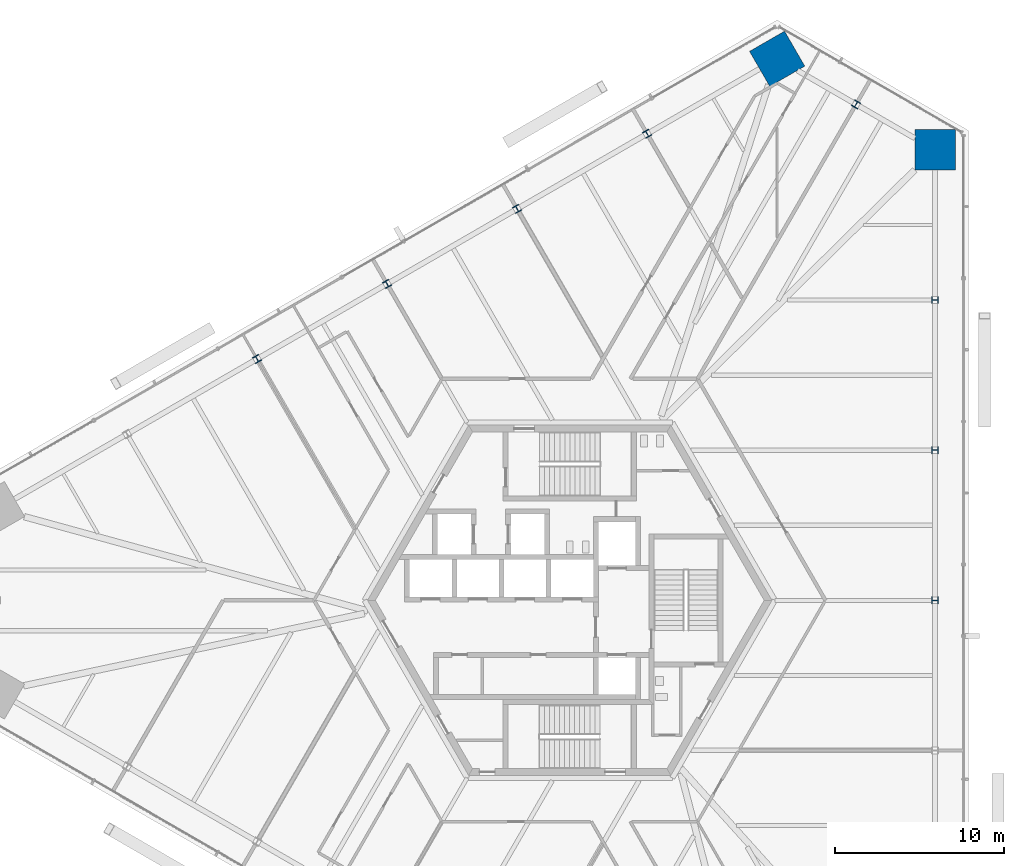
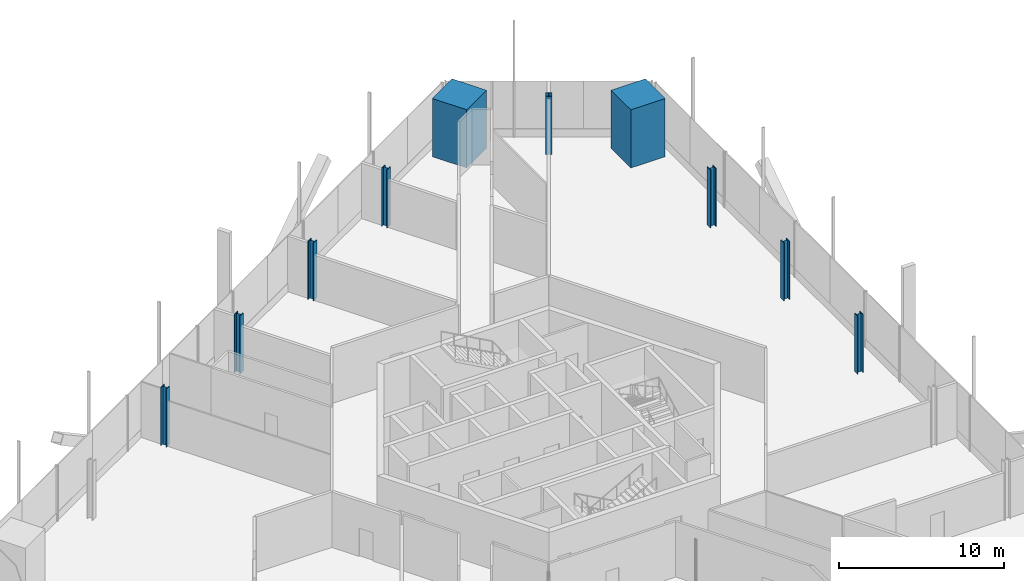
# One storey, part 2 of 19: 10 columns.
"""IFC4 building model written with IfcOpenShell, lengths in metres."""

import ifcopenshell
import ifcopenshell.guid

model = None  # the IFC model being written
_history = None  # IfcOwnerHistory: only IFC2X3 demands one
_inside = {}  # id of a spatial element -> (the spatial element, [elements in it])
_under = {}  # id of a project, library or spatial element -> (it, [spatial elements below it])
_declared = {}  # id of a project -> (the project, [libraries it declares])
_typed = {}  # id of a type object -> (the type object, [elements of that type])
_made_of = {}  # id of a material, layer set ... -> (it, [elements and type objects made of it])


def new_model(schema):
    """Start an empty IFC model of exactly this schema.

    Asked for "IFC4X3", IfcOpenShell would pick the latest addendum, in which some entities
    have other attributes; the version numbers below select the first issue.
    IFC2X3 requires an IfcOwnerHistory on every rooted entity: one is made here for all.
    """
    global model, _history
    if schema == "IFC4X3":
        model = ifcopenshell.file(schema_version=(4, 3, 0, 0))
    else:
        model = ifcopenshell.file(schema=schema)
    _inside.clear()
    _under.clear()
    _declared.clear()
    _typed.clear()
    _made_of.clear()
    _history = None
    if model.schema == "IFC2X3":
        org = make("IfcOrganization", Name="unknown")
        user = make(
            "IfcPersonAndOrganization",
            ThePerson=make("IfcPerson", FamilyName="unknown"),
            TheOrganization=org,
        )
        app = make(
            "IfcApplication",
            ApplicationDeveloper=org,
            Version="unknown",
            ApplicationFullName="unknown",
            ApplicationIdentifier="unknown",
        )
        _history = make(
            "IfcOwnerHistory",
            OwningUser=user,
            OwningApplication=app,
            ChangeAction="ADDED",
            CreationDate=0,
        )
    return model


def make(cls, **values):
    """One entity of the class cls with the attributes given. An attribute that is None is left unset."""
    return model.create_entity(
        cls, **{name: value for name, value in values.items() if value is not None}
    )


def rooted(cls, **values):
    """An entity with a GlobalId (a new one), such as an element, a storey or a relation."""
    return make(cls, GlobalId=ifcopenshell.guid.new(), OwnerHistory=_history, **values)


def si_unit(unit_type, name, prefix=None):
    """IfcSIUnit, for example si_unit("LENGTHUNIT", "METRE", prefix="MILLI")."""
    return make("IfcSIUnit", UnitType=unit_type, Prefix=prefix, Name=name)


def assignment(units):
    """IfcUnitAssignment: the units of a project."""
    return None if units is None else make("IfcUnitAssignment", Units=units)


def point(xyz):
    """IfcCartesianPoint."""
    return None if xyz is None else make("IfcCartesianPoint", Coordinates=xyz)


def direction(xyz):
    """IfcDirection."""
    return None if xyz is None else make("IfcDirection", DirectionRatios=xyz)


def frame(location, z_axis=None, x_axis=None):
    """IfcAxis2Placement3D, a coordinate frame: its origin and axes. An axis left out is left unset."""
    return make(
        "IfcAxis2Placement3D",
        Location=point(location),
        Axis=direction(z_axis),
        RefDirection=direction(x_axis),
    )


def frame_2d(location, x_axis=None):
    """IfcAxis2Placement2D, a coordinate frame in the plane: its origin and x axis."""
    return make(
        "IfcAxis2Placement2D", Location=point(location), RefDirection=direction(x_axis)
    )


def origin():
    """The frame at (0, 0, 0) with its axes left unset."""
    return frame((0.0, 0.0, 0.0))


def origin_2d():
    """The frame at (0, 0) in the plane with its x axis left unset."""
    return frame_2d((0.0, 0.0))


def place(relative_to, where):
    """IfcLocalPlacement: puts the frame where relative to a parent placement (None: the world)."""
    return make(
        "IfcLocalPlacement", PlacementRelTo=relative_to, RelativePlacement=where
    )


def context(
    kind, dimensions, precision=None, world=None, true_north=None, identifier=None
):
    """IfcGeometricRepresentationContext, for example the 3D "Model" context."""
    return make(
        "IfcGeometricRepresentationContext",
        ContextIdentifier=identifier,
        ContextType=kind,
        CoordinateSpaceDimension=dimensions,
        Precision=precision,
        WorldCoordinateSystem=world,
        TrueNorth=true_north,
    )


def subcontext(parent, identifier, kind, view, scale=None):
    """IfcGeometricRepresentationSubContext, for example "Body" below "Model"."""
    return make(
        "IfcGeometricRepresentationSubContext",
        ContextIdentifier=identifier,
        ContextType=kind,
        ParentContext=parent,
        TargetScale=scale,
        TargetView=view,
    )


def project(units=None, contexts=None):
    """IfcProject with its units and contexts."""
    return rooted(
        "IfcProject",
        Name="project",
        RepresentationContexts=contexts,
        UnitsInContext=assignment(units),
    )


def spatial(cls, under=None, at=None, **own):
    """A site, building, storey or space (cls), placed at a placement, below another one or the project."""
    s = rooted(cls, ObjectPlacement=at, **own)
    if under is not None:
        _under.setdefault(under.id(), (under, []))[1].append(s)
    return s


def profile(cls, at=None, kind="AREA", **sizes):
    """A parametric profile (cls). Its sizes go by their IFC names, for example OverallWidth=200.0."""
    return make(cls, ProfileType=kind, Position=at, **sizes)


def rectangle(**sizes):
    """IfcRectangleProfileDef."""
    return profile("IfcRectangleProfileDef", **sizes)


def i_section(**sizes):
    """IfcIShapeProfileDef."""
    return profile("IfcIShapeProfileDef", **sizes)


def extrude(swept, where, along, depth):
    """IfcExtrudedAreaSolid: the profile swept, set in the frame where, extruded along a direction by depth."""
    return make(
        "IfcExtrudedAreaSolid",
        SweptArea=swept,
        Position=where,
        ExtrudedDirection=direction(along),
        Depth=depth,
    )


def shape(context_of_items, identifier, shape_type, items):
    """IfcShapeRepresentation: the items that make up one representation, for example the "Body"."""
    return make(
        "IfcShapeRepresentation",
        ContextOfItems=context_of_items,
        RepresentationIdentifier=identifier,
        RepresentationType=shape_type,
        Items=items,
    )


def source(mapping_origin, context_of_items, identifier, shape_type, items):
    """IfcRepresentationMap: a shape defined once, which mapped items show again and again."""
    return make(
        "IfcRepresentationMap",
        MappingOrigin=mapping_origin,
        MappedRepresentation=shape(context_of_items, identifier, shape_type, items),
    )


def transform(
    local_origin,
    x_axis=None,
    y_axis=None,
    z_axis=None,
    scale=None,
    scale2=None,
    scale3=None,
    uniform=True,
):
    """IfcCartesianTransformationOperator3D, or its non-uniform kind. x_axis, y_axis, z_axis: its Axis1, 2, 3."""
    if uniform:
        return make(
            "IfcCartesianTransformationOperator3D",
            Axis1=direction(x_axis),
            Axis2=direction(y_axis),
            LocalOrigin=point(local_origin),
            Scale=scale,
            Axis3=direction(z_axis),
        )
    return make(
        "IfcCartesianTransformationOperator3DnonUniform",
        Axis1=direction(x_axis),
        Axis2=direction(y_axis),
        LocalOrigin=point(local_origin),
        Scale=scale,
        Axis3=direction(z_axis),
        Scale2=scale2,
        Scale3=scale3,
    )


def mapped(mapping_source, mapping_target):
    """IfcMappedItem: shows the shape of a source again, moved by a transform."""
    return make(
        "IfcMappedItem", MappingSource=mapping_source, MappingTarget=mapping_target
    )


def material(Name=None, Category=None):
    """IfcMaterial."""
    return make("IfcMaterial", Name=Name, Category=Category)


def material_profile(
    of_material, cross_section, Name=None, Category=None, Priority=None
):
    """IfcMaterialProfile: a cross section and its material."""
    return make(
        "IfcMaterialProfile",
        Name=Name,
        Material=of_material,
        Profile=cross_section,
        Priority=Priority,
        Category=Category,
    )


def profile_set(profiles, Name=None, composite=None):
    """IfcMaterialProfileSet."""
    return make(
        "IfcMaterialProfileSet",
        Name=Name,
        MaterialProfiles=profiles,
        CompositeProfile=composite,
    )


def made_of(thing, what):
    """Note that an element or type object is made of a material, layer set ...; save() writes the relation."""
    if what is not None:
        _made_of.setdefault(what.id(), (what, []))[1].append(thing)
    return thing


def type_object(cls, material=None, **own):
    """A type object (cls), such as IfcWallType, which elements share."""
    return made_of(rooted(cls, **own), material)


def element(
    cls,
    number,
    at=None,
    inside=None,
    cuts=None,
    type_object=None,
    material=None,
    context=None,
    identifier="Body",
    shape_type=None,
    held_by="IfcProductDefinitionShape",
    body=None,
    shapes=None,
    **own,
):
    """One element of the class cls, such as IfcWall. Its Tag is "e" and its number.

    at: its placement. inside: the storey or other place that contains it. cuts: it is an
    opening in that element (IfcRelVoidsElement). A single representation is given by context,
    identifier, shape_type and body (its items); several are given by shapes. held_by: the class
    of the entity that holds the representations. save() writes the other relations.
    """
    e = rooted(cls, Tag="e%d" % number, ObjectPlacement=at, **own)
    if body is not None:
        shapes = [shape(context, identifier, shape_type, body)]
    if shapes is not None:
        e.Representation = make(held_by, Representations=shapes)
    if inside is not None:
        _inside.setdefault(inside.id(), (inside, []))[1].append(e)
    if cuts is not None:
        rooted(
            "IfcRelVoidsElement", RelatingBuildingElement=cuts, RelatedOpeningElement=e
        )
    if type_object is not None:
        _typed.setdefault(type_object.id(), (type_object, []))[1].append(e)
    return made_of(e, material)


def aggregate(whole, parts):
    """IfcRelAggregates: a whole, such as a stair, and the parts it consists of."""
    return rooted("IfcRelAggregates", RelatingObject=whole, RelatedObjects=parts)


def save(model, path):
    """Write the relations noted so far, then the file.

    IfcRelAggregates (storeys below a building ...), IfcRelContainedInSpatialStructure (elements
    in a storey), IfcRelDefinesByType, IfcRelAssociatesMaterial and IfcRelDeclares: one each for
    every whole, place, type object, material and project.
    """
    for whole, parts in _under.values():
        aggregate(whole, parts)
    for where, things in _inside.values():
        rooted(
            "IfcRelContainedInSpatialStructure",
            RelatedElements=things,
            RelatingStructure=where,
        )
    for kind, things in _typed.values():
        rooted("IfcRelDefinesByType", RelatedObjects=things, RelatingType=kind)
    for what, things in _made_of.values():
        rooted("IfcRelAssociatesMaterial", RelatedObjects=things, RelatingMaterial=what)
    for by, libraries in _declared.values():
        rooted("IfcRelDeclares", RelatingContext=by, RelatedDefinitions=libraries)
    model.write(path)


model = new_model("IFC4")

# Units and contexts
model_context = context("Model", 3, precision=1e-05, world=origin(), true_north=direction((0.0, 1.0)))
body_context = subcontext(model_context, "Body", "Model", "MODEL_VIEW")
ifc_project = project(units=[si_unit("LENGTHUNIT", "METRE"), si_unit("AREAUNIT", "SQUARE_METRE"), si_unit("VOLUMEUNIT", "CUBIC_METRE"), si_unit("PLANEANGLEUNIT", "RADIAN"), si_unit("MASSUNIT", "GRAM", prefix="KILO")], contexts=[model_context])

# Site, building, storey
site_placement = place(None, origin())
site = spatial("IfcSite", under=ifc_project, at=site_placement, CompositionType="ELEMENT")
building_placement = place(site_placement, origin())
building = spatial("IfcBuilding", under=site, at=building_placement, Name="Triune Harvest Tower", CompositionType="ELEMENT")
storey_placement = place(building_placement, frame((0.0, 0.0, 41.800048828125)))
storey = spatial("IfcBuildingStorey", under=building, at=storey_placement, Name="L09", CompositionType="ELEMENT", Elevation=41.800048828125)

# Columns
ifc_material_1 = material(Name="Concrete 70 MPa", Category="concrete")
ifc_material_profile_1 = material_profile(ifc_material_1, rectangle(XDim=2.39990234375, YDim=2.39990234375, at=origin_2d()), Name="Composite 2400x2400")
ifc_profile_set_1 = profile_set([ifc_material_profile_1], Name="Concrete 70 MPa")
column_type_1 = type_object("IfcColumnType", Name="MC-1 Mega column Composite 2400x2400", PredefinedType="COLUMN", material=ifc_profile_set_1)
shared_shape_1 = source(origin(), body_context, "Body", "SweptSolid", [
    extrude(rectangle(XDim=2.39990234375, YDim=2.39990234375, at=origin_2d()), origin(), (0.0, 0.0, 1.0), 4.300048828125),
])
for number, where, z_axis, x_axis, name in (
    (1, (21.679443359375, 26.72998046875, 0.0), (0.0, 0.0, 1.0), (0.0, 1.0, 0.0), "col/L09/M6"),
    (2, (12.30908203125, 32.139892578125, 0.0), (0.0, 0.0, 1.0), (-0.866025403784, -0.5, 0.0), "col/L09/M8"),
):
    element("IfcColumn", number, at=place(storey_placement, frame(where, z_axis=z_axis, x_axis=x_axis)), inside=storey, type_object=column_type_1, Name=name, PredefinedType="COLUMN", context=body_context, shape_type="MappedRepresentation", body=[
        mapped(shared_shape_1, transform((0.0, 0.0, 0.0), scale=1.0)),
    ])
ifc_material_2 = material(Name="Steel ASTM A992 Gr 50", Category="steel")
ifc_material_profile_2 = material_profile(ifc_material_2, i_section(OverallWidth=0.40380859375, OverallDepth=0.406494140625, WebThickness=0.027099609375, FlangeThickness=0.043701171875, at=origin_2d()), Name="W14x233")
ifc_profile_set_2 = profile_set([ifc_material_profile_2], Name="Steel ASTM A992 Gr 50")
column_type_2 = type_object("IfcColumnType", Name="PC-1 Perimeter column W14x233", PredefinedType="COLUMN", material=ifc_profile_set_2)
shared_shape_2 = source(origin(), body_context, "Body", "SweptSolid", [
    extrude(i_section(OverallWidth=0.40380859375, OverallDepth=0.406494140625, WebThickness=0.027099609375, FlangeThickness=0.043701171875, at=origin_2d()), origin(), (0.0, 0.0, 1.0), 4.300048828125),
])
for number, where, z_axis, x_axis, name in (
    (3, (21.679443359375, 0.0, 0.0), (0.0, 0.0, 1.0), (0.0, 1.0, 0.0), "col/L09/P3"),
    (4, (21.679443359375, 8.909912109375, 0.0), (0.0, 0.0, 1.0), (0.0, 1.0, 0.0), "col/L09/P4"),
    (5, (21.679443359375, 17.820068359375, 0.0), (0.0, 0.0, 1.0), (0.0, 1.0, 0.0), "col/L09/P5"),
    (6, (16.994384765625, 29.43505859375, 0.0), (0.0, 0.0, 1.0), (-0.866026276448, 0.4999984885, 0.0), "col/L09/P7"),
    (7, (4.5927734375, 27.68505859375, 0.0), (0.0, 0.0, 1.0), (-0.866025403784, -0.5, 0.0), "col/L09/P9"),
    (8, (-3.12353515625, 23.22998046875, 0.0), (0.0, 0.0, 1.0), (-0.866025403784, -0.5, 0.0), "col/L09/P10"),
    (9, (-10.839599609375, 18.77490234375, 0.0), (0.0, 0.0, 1.0), (-0.866025403784, -0.5, 0.0), "col/L09/P11"),
    (10, (-18.555908203125, 14.320068359375, 0.0), (0.0, 0.0, 1.0), (-0.866025403784, -0.5, 0.0), "col/L09/P12"),
):
    element("IfcColumn", number, at=place(storey_placement, frame(where, z_axis=z_axis, x_axis=x_axis)), inside=storey, type_object=column_type_2, Name=name, PredefinedType="COLUMN", context=body_context, shape_type="MappedRepresentation", body=[
        mapped(shared_shape_2, transform((0.0, 0.0, 0.0), scale=1.0)),
    ])

save(model, "model.ifc")
